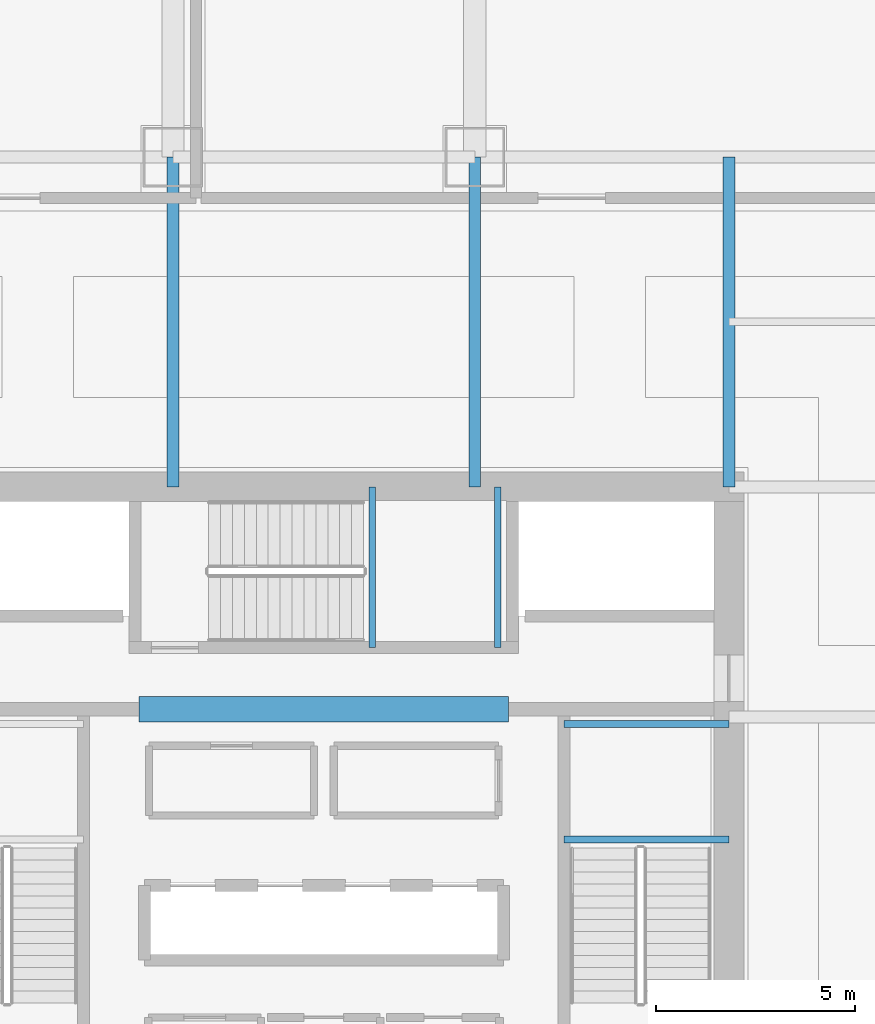
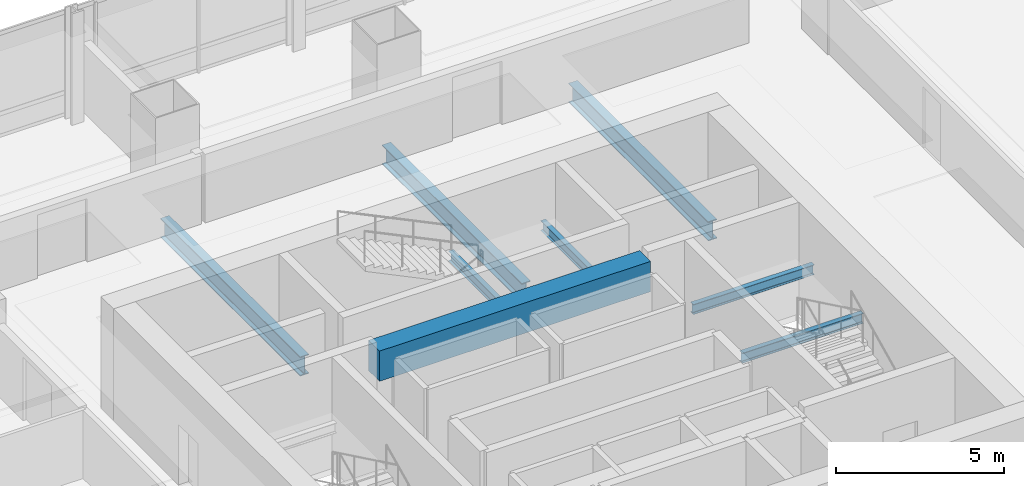
# One storey, part 12 of 34: 8 beams.
"""IFC4 building model written with IfcOpenShell, lengths in metres."""

from ifc_helpers import new_model, si_unit, direction, frame, origin, origin_2d, place, context, subcontext, project, spatial, rectangle, i_section, extrude, material, material_profile, profile_set, type_object, element, save


model = new_model("IFC4")

# Units and contexts
model_context = context("Model", 3, precision=1e-05, world=origin(), true_north=direction((0.0, 1.0)))
body_context = subcontext(model_context, "Body", "Model", "MODEL_VIEW")
ifc_project = project(units=[si_unit("LENGTHUNIT", "METRE"), si_unit("AREAUNIT", "SQUARE_METRE"), si_unit("VOLUMEUNIT", "CUBIC_METRE"), si_unit("PLANEANGLEUNIT", "RADIAN"), si_unit("MASSUNIT", "GRAM", prefix="KILO")], contexts=[model_context])

# Site, building, storey
site_placement = place(None, origin())
site = spatial("IfcSite", under=ifc_project, at=site_placement, CompositionType="ELEMENT")
building_placement = place(site_placement, origin())
building = spatial("IfcBuilding", under=site, at=building_placement, Name="Punatoya Terracotta Tower", CompositionType="ELEMENT")
storey_placement = place(building_placement, frame((0.0, 0.0, 105.14990234375)))
storey = spatial("IfcBuildingStorey", under=building, at=storey_placement, Name="L24", CompositionType="ELEMENT", Elevation=105.14990234375)

# Beams
ifc_material_1 = material(Name="Steel S355", Category="steel")
ifc_material_profile_1 = material_profile(ifc_material_1, i_section(OverallWidth=0.300048828125, OverallDepth=0.699951171875, WebThickness=0.01708984375, FlangeThickness=0.031982421875, FilletRadius=0.01806640625, at=origin_2d()))
ifc_profile_set_1 = profile_set([ifc_material_profile_1], Name="Steel S355")
beam_type_1 = type_object("IfcBeamType", Name="BM-PRI-700", PredefinedType="BEAM", material=ifc_profile_set_1)
for number, where, z_axis, x_axis, name in (
    (1, (-3.800048828125, 9.199951171875, -0.58984375), (0.0, 1.0, 0.0), (-1.0, 0.0, 0.0), "BM-L24-PR-N2"),
    (2, (3.800048828125, 9.199951171875, -0.58984375), (0.0, 1.0, 0.0), (-1.0, 0.0, 0.0), "BM-L24-PR-N3"),
    (3, (10.199951171875, 9.199951171875, -0.58984375), (0.0, 1.0, 0.0), (-1.0, 0.0, 0.0), "BM-L24-PR-N4"),
):
    element("IfcBeam", number, at=place(storey_placement, frame(where, z_axis=z_axis, x_axis=x_axis)), inside=storey, type_object=beam_type_1, Name=name, PredefinedType="BEAM", context=body_context, shape_type="SweptSolid", body=[
        extrude(i_section(OverallWidth=0.300048828125, OverallDepth=0.699951171875, WebThickness=0.01708984375, FlangeThickness=0.031982421875, FilletRadius=0.01806640625, at=origin_2d()), origin(), (0.0, 0.0, 1.0), 8.300048828125),
    ])
ifc_material_2 = material(Name="Concrete C60/75", Category="concrete")
ifc_material_profile_2 = material_profile(ifc_material_2, rectangle(XDim=0.64990234375, YDim=1.10009765625, at=origin_2d()))
ifc_profile_set_2 = profile_set([ifc_material_profile_2], Name="Concrete C60/75")
beam_type_2 = type_object("IfcBeamType", Name="BM-RC-1100", PredefinedType="LINTEL", material=ifc_profile_set_2)
beam_placement = place(storey_placement, frame((-4.64990234375, 3.60009765625, 3.260009765625), z_axis=(1.0, 0.0, 0.0), x_axis=(0.0, 1.0, 0.0)))
element("IfcBeam", 4, at=beam_placement, inside=storey, type_object=beam_type_2, Name="L24 Core Coupling Lintel CNW", PredefinedType="LINTEL", context=body_context, shape_type="SweptSolid", body=[
    extrude(rectangle(XDim=0.64990234375, YDim=1.10009765625, at=origin_2d()), origin(), (0.0, 0.0, 1.0), 9.2998046875),
])
ifc_material_profile_3 = material_profile(ifc_material_1, i_section(OverallWidth=0.169921875, OverallDepth=0.360107421875, WebThickness=0.008056640625, FlangeThickness=0.0126953125, FilletRadius=0.01806640625, at=origin_2d()))
ifc_profile_set_3 = profile_set([ifc_material_profile_3], Name="Steel S355")
beam_type_3 = type_object("IfcBeamType", Name="BM-SEC-360", PredefinedType="JOIST", material=ifc_profile_set_3)
for number, where, z_axis, x_axis, name in (
    (5, (6.050048828125, 0.320068359375, 1.64501953125), (1.0, 0.0, 0.0), (0.0, 1.0, 0.0), "BM-L24-ST-2-LD1A"),
    (6, (6.050048828125, 3.22998046875, 1.64501953125), (1.0, 0.0, 0.0), (0.0, 1.0, 0.0), "BM-L24-ST-2-LD1B"),
):
    element("IfcBeam", number, at=place(storey_placement, frame(where, z_axis=z_axis, x_axis=x_axis)), inside=storey, type_object=beam_type_3, Name=name, PredefinedType="JOIST", context=body_context, shape_type="SweptSolid", body=[
        extrude(i_section(OverallWidth=0.169921875, OverallDepth=0.360107421875, WebThickness=0.008056640625, FlangeThickness=0.0126953125, FilletRadius=0.01806640625, at=origin_2d()), origin(), (0.0, 0.0, 1.0), 4.14990234375),
    ])
for number, where, z_axis, x_axis, name in (
    (7, (1.219970703125, 5.14990234375, 1.64501953125), (0.0, 1.0, 0.0), (-1.0, 0.0, 0.0), "BM-L24-ST-3-LD1A"),
    (8, (4.3798828125, 5.14990234375, 1.64501953125), (0.0, 1.0, 0.0), (-1.0, 0.0, 0.0), "BM-L24-ST-3-LD1B"),
):
    element("IfcBeam", number, at=place(storey_placement, frame(where, z_axis=z_axis, x_axis=x_axis)), inside=storey, type_object=beam_type_3, Name=name, PredefinedType="JOIST", context=body_context, shape_type="SweptSolid", body=[
        extrude(i_section(OverallWidth=0.169921875, OverallDepth=0.360107421875, WebThickness=0.008056640625, FlangeThickness=0.0126953125, FilletRadius=0.01806640625, at=origin_2d()), origin(), (0.0, 0.0, 1.0), 4.050048828125),
    ])

save(model, "model.ifc")
